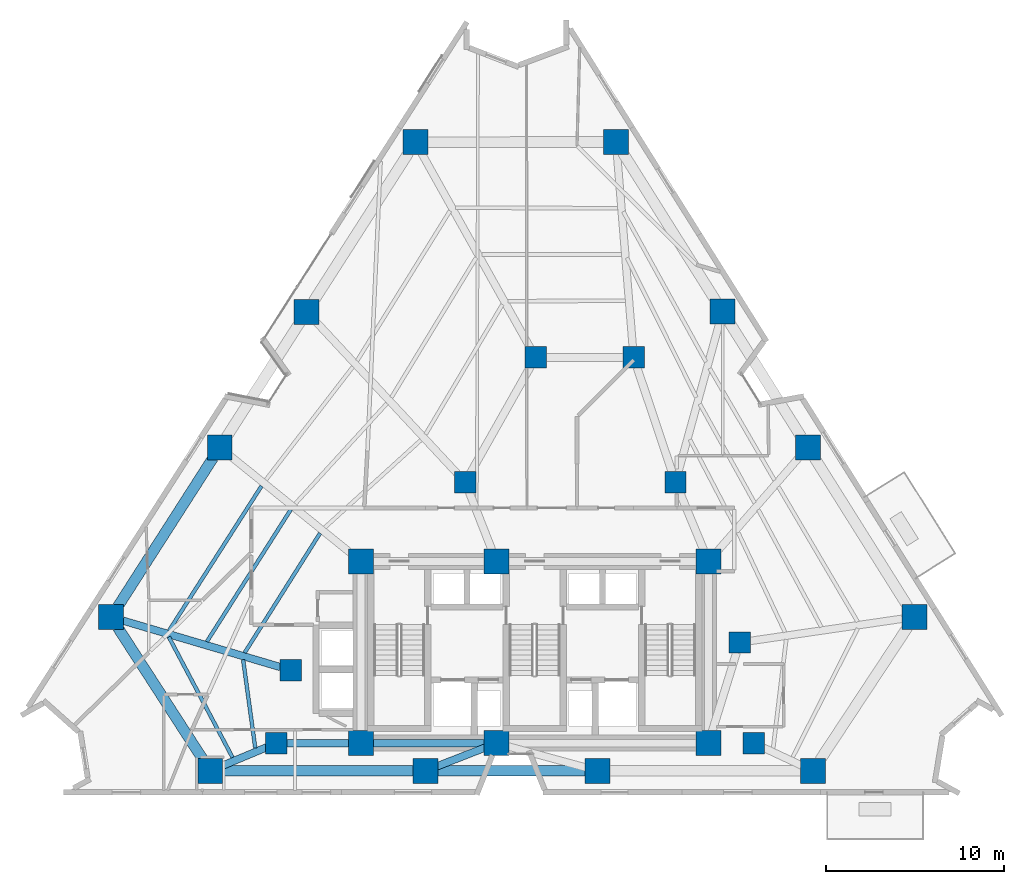
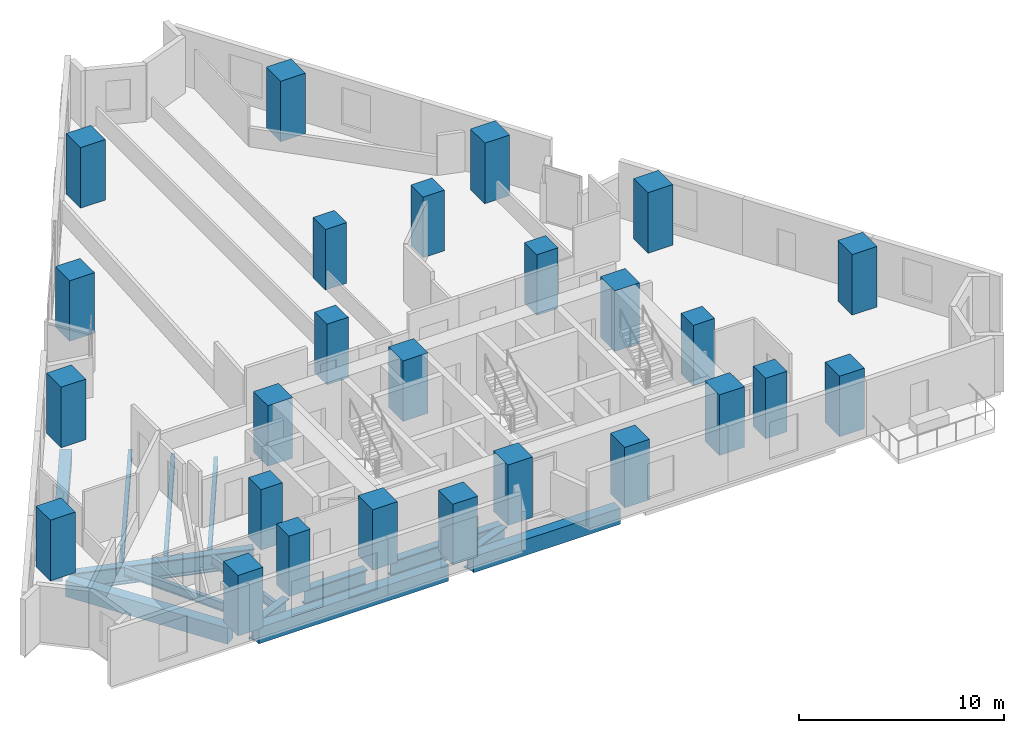
# One storey, part 1 of 12: 26 columns, 14 beams.
"""IFC4 building model written with IfcOpenShell, lengths in metres."""

from ifc_helpers import new_model, si_unit, direction, frame, origin, origin_2d, place, context, subcontext, project, spatial, rectangle, i_section, extrude, material, material_profile, profile_set, type_object, element, save


model = new_model("IFC4")

# Units and contexts
model_context = context("Model", 3, precision=1e-05, world=origin(), true_north=direction((0.0, 1.0)))
body_context = subcontext(model_context, "Body", "Model", "MODEL_VIEW")
ifc_project = project(units=[si_unit("LENGTHUNIT", "METRE"), si_unit("AREAUNIT", "SQUARE_METRE"), si_unit("VOLUMEUNIT", "CUBIC_METRE"), si_unit("PLANEANGLEUNIT", "RADIAN"), si_unit("MASSUNIT", "GRAM", prefix="KILO")], contexts=[model_context])

# Site, building, storey
site_placement = place(None, origin())
site = spatial("IfcSite", under=ifc_project, at=site_placement, CompositionType="ELEMENT")
building_placement = place(site_placement, origin())
building = spatial("IfcBuilding", under=site, at=building_placement, Name="Almagre Mirador Tower", CompositionType="ELEMENT")
storey_placement = place(building_placement, frame((0.0, 0.0, 71.39990234375)))
storey = spatial("IfcBuildingStorey", under=building, at=storey_placement, Name="L17", CompositionType="ELEMENT", Elevation=71.39990234375)

# Columns
ifc_material_1 = material(Name="Concrete C60/75", Category="concrete")
ifc_material_profile_1 = material_profile(ifc_material_1, rectangle(XDim=1.199951171875, YDim=1.199951171875, at=origin_2d()), Name="RC1200X1200")
ifc_profile_set_1 = profile_set([ifc_material_profile_1], Name="Concrete C60/75")
column_type_1 = type_object("IfcColumnType", Name="COL-RC1200", PredefinedType="COLUMN", material=ifc_profile_set_1)
for number, where, z_axis, x_axis, name in (
    (1, (22.800048828125, 4.550048828125, 0.0), (0.0, 0.0, 1.0), (1.0, 0.0, 0.0), "L17 interior transfer column MC1"),
    (2, (49.60009765625, 4.550048828125, 0.0), (0.0, 0.0, 1.0), (1.0, 0.0, 0.0), "L17 interior transfer column MC2"),
    (3, (48.800048828125, 10.199951171875, 0.0), (0.0, 0.0, 1.0), (1.0, 0.0, 0.0), "L17 interior transfer column MC3"),
    (4, (45.199951171875, 19.199951171875, 0.0), (0.0, 0.0, 1.0), (1.0, 0.0, 0.0), "L17 interior transfer column MC5"),
    (5, (42.85009765625, 26.199951171875, 0.0), (0.0, 0.0, 1.0), (1.0, 0.0, 0.0), "L17 interior transfer column MC6"),
    (6, (37.35009765625, 26.199951171875, 0.0), (0.0, 0.0, 1.0), (1.0, 0.0, 0.0), "L17 interior transfer column MC7"),
    (7, (33.39990234375, 19.199951171875, 0.0), (0.0, 0.0, 1.0), (1.0, 0.0, 0.0), "L17 interior transfer column MC8"),
    (8, (23.60009765625, 8.64990234375, 0.0), (0.0, 0.0, 1.0), (1.0, 0.0, 0.0), "L17 interior transfer column MC10"),
):
    element("IfcColumn", number, at=place(storey_placement, frame(where, z_axis=z_axis, x_axis=x_axis)), inside=storey, type_object=column_type_1, Name=name, PredefinedType="COLUMN", context=body_context, shape_type="SweptSolid", body=[
        extrude(rectangle(XDim=1.199951171875, YDim=1.199951171875, at=origin_2d()), origin(), (0.0, 0.0, 1.0), 3.60009765625),
    ])
ifc_material_2 = material(Name="Concrete C60/75", Category="concrete")
ifc_material_profile_2 = material_profile(ifc_material_2, rectangle(XDim=1.39990234375, YDim=1.39990234375, at=origin_2d()), Name="RC1400X1400")
ifc_profile_set_2 = profile_set([ifc_material_profile_2], Name="Concrete C60/75")
column_type_2 = type_object("IfcColumnType", Name="COL-RC1400", PredefinedType="COLUMN", material=ifc_profile_set_2)
for number, where, z_axis, x_axis, name in (
    (9, (27.550048828125, 4.550048828125, 0.0), (0.0, 0.0, 1.0), (1.0, 0.0, 0.0), "L17 core spine column CC1"),
    (10, (35.14990234375, 4.550048828125, 0.0), (0.0, 0.0, 1.0), (1.0, 0.0, 0.0), "L17 core spine column CC2"),
    (11, (47.050048828125, 4.550048828125, 0.0), (0.0, 0.0, 1.0), (1.0, 0.0, 0.0), "L17 core spine column CC3"),
    (12, (27.550048828125, 14.75, 0.0), (0.0, 0.0, 1.0), (1.0, 0.0, 0.0), "L17 core spine column CC4"),
    (13, (35.14990234375, 14.75, 0.0), (0.0, 0.0, 1.0), (1.0, 0.0, 0.0), "L17 core spine column CC5"),
    (14, (47.050048828125, 14.75, 0.0), (0.0, 0.0, 1.0), (1.0, 0.0, 0.0), "L17 core spine column CC6"),
    (15, (19.087890625, 3.0, 0.0), (0.0, 0.0, 1.0), (1.0, 0.0, 0.0), "L17 perimeter column PC01"),
    (16, (31.16796875, 3.0, 0.0), (0.0, 0.0, 1.0), (1.0, 0.0, 0.0), "L17 perimeter column PC02"),
    (17, (40.83203125, 3.0, 0.0), (0.0, 0.0, 1.0), (1.0, 0.0, 0.0), "L17 perimeter column PC03"),
    (18, (52.912109375, 3.0, 0.0), (0.0, 0.0, 1.0), (1.0, 0.0, 0.0), "L17 perimeter column PC04"),
    (19, (58.60595703125, 11.634033203125, 0.0), (0.0, 0.0, 1.0), (1.0, 0.0, 0.0), "L17 perimeter column PC05"),
    (20, (52.6259765625, 21.154052734375, 0.0), (0.0, 0.0, 1.0), (1.0, 0.0, 0.0), "L17 perimeter column PC06"),
    (21, (47.842041015625, 28.77001953125, 0.0), (0.0, 0.0, 1.0), (1.0, 0.0, 0.0), "L17 perimeter column PC07"),
    (22, (41.862060546875, 38.2900390625, 0.0), (0.0, 0.0, 1.0), (1.0, 0.0, 0.0), "L17 perimeter column PC08"),
    (23, (30.60009765625, 38.281005859375, 0.0), (0.0, 0.0, 1.0), (1.0, 0.0, 0.0), "L17 perimeter column PC09"),
    (24, (24.5, 28.760986328125, 0.0), (0.0, 0.0, 1.0), (1.0, 0.0, 0.0), "L17 perimeter column PC10"),
    (25, (19.6201171875, 21.14501953125, 0.0), (0.0, 0.0, 1.0), (1.0, 0.0, 0.0), "L17 perimeter column PC11"),
    (26, (13.52001953125, 11.625, 0.0), (0.0, 0.0, 1.0), (1.0, 0.0, 0.0), "L17 perimeter column PC12"),
):
    element("IfcColumn", number, at=place(storey_placement, frame(where, z_axis=z_axis, x_axis=x_axis)), inside=storey, type_object=column_type_2, Name=name, PredefinedType="COLUMN", context=body_context, shape_type="SweptSolid", body=[
        extrude(rectangle(XDim=1.39990234375, YDim=1.39990234375, at=origin_2d()), origin(), (0.0, 0.0, 1.0), 3.60009765625),
    ])

# Beams
ifc_material_3 = material(Name="Steel ASTM A992 Grade 50", Category="steel")
ifc_material_profile_3 = material_profile(ifc_material_3, i_section(OverallWidth=0.208984375, OverallDepth=0.532958984375, WebThickness=0.01025390625, FlangeThickness=0.015625, FilletRadius=0.01806640625, at=origin_2d()), Name="W21X62")
ifc_profile_set_3 = profile_set([ifc_material_profile_3], Name="Steel ASTM A992 Grade 50")
beam_type_1 = type_object("IfcBeamType", Name="BM-JST-W21X62", PredefinedType="JOIST", material=ifc_profile_set_3)
beam_1_placement = place(storey_placement, frame((21.96728515625, 18.984619140625, -0.516357421875), z_axis=(-0.538939298543, -0.842344604355, 0.0), x_axis=(0.842344604355, -0.538939298543, 0.0)))
element("IfcBeam", 27, at=beam_1_placement, inside=storey, type_object=beam_type_1, Name="L17 secondary floor joist PC11-PC12.1", PredefinedType="JOIST", context=body_context, shape_type="SweptSolid", body=[
    extrude(i_section(OverallWidth=0.208984375, OverallDepth=0.532958984375, WebThickness=0.01025390625, FlangeThickness=0.015625, FilletRadius=0.01806640625, at=origin_2d()), origin(), (0.0, 0.0, 1.0), 9.62939453125),
])
beam_2_placement = place(storey_placement, frame((23.609375, 17.660400390625, -0.516357421875), z_axis=(-0.536506743166, -0.843896033015, 0.0), x_axis=(0.843896033015, -0.536506743166, 0.0)))
element("IfcBeam", 28, at=beam_2_placement, inside=storey, type_object=beam_type_1, Name="L17 secondary floor joist PC11-PC12.2", PredefinedType="JOIST", context=body_context, shape_type="SweptSolid", body=[
    extrude(i_section(OverallWidth=0.208984375, OverallDepth=0.532958984375, WebThickness=0.01025390625, FlangeThickness=0.015625, FilletRadius=0.01806640625, at=origin_2d()), origin(), (0.0, 0.0, 1.0), 8.783447265625),
])
beam_3_placement = place(storey_placement, frame((25.251708984375, 16.336181640625, -0.516357421875), z_axis=(-0.533571707058, -0.845754830567, 0.0), x_axis=(0.845754830567, -0.533571707058, 0.0)))
element("IfcBeam", 29, at=beam_3_placement, inside=storey, type_object=beam_type_1, Name="L17 secondary floor joist PC11-PC12.3", PredefinedType="JOIST", context=body_context, shape_type="SweptSolid", body=[
    extrude(i_section(OverallWidth=0.208984375, OverallDepth=0.532958984375, WebThickness=0.01025390625, FlangeThickness=0.015625, FilletRadius=0.01806640625, at=origin_2d()), origin(), (0.0, 0.0, 1.0), 7.937744140625),
])
beam_4_placement = place(storey_placement, frame((16.7626953125, 10.51171875, -0.516357421875), z_axis=(0.467494738831, -0.88399585359, 0.0), x_axis=(0.88399585359, 0.467494738831, 0.0)))
element("IfcBeam", 30, at=beam_4_placement, inside=storey, type_object=beam_type_1, Name="L17 secondary floor joist PC12-PC01.1", PredefinedType="JOIST", context=body_context, shape_type="SweptSolid", body=[
    extrude(i_section(OverallWidth=0.208984375, OverallDepth=0.532958984375, WebThickness=0.01025390625, FlangeThickness=0.015625, FilletRadius=0.01806640625, at=origin_2d()), origin(), (0.0, 0.0, 1.0), 7.650634765625),
])
beam_5_placement = place(storey_placement, frame((20.93310546875, 9.238037109375, -0.516357421875), z_axis=(0.136056923339, -0.990701021303, 0.0), x_axis=(0.990701021303, 0.136056923339, 0.0)))
element("IfcBeam", 31, at=beam_5_placement, inside=storey, type_object=beam_type_1, Name="L17 secondary floor joist PC12-PC01.3", PredefinedType="JOIST", context=body_context, shape_type="SweptSolid", body=[
    extrude(i_section(OverallWidth=0.208984375, OverallDepth=0.532958984375, WebThickness=0.01025390625, FlangeThickness=0.015625, FilletRadius=0.01806640625, at=origin_2d()), origin(), (0.0, 0.0, 1.0), 5.010009765625),
])
ifc_material_4 = material(Name="Precast concrete C50/60", Category="concrete")
ifc_material_profile_4 = material_profile(ifc_material_4, rectangle(XDim=0.60009765625, YDim=0.949951171875, at=origin_2d()), Name="RC600X950")
ifc_profile_set_4 = profile_set([ifc_material_profile_4], Name="Precast concrete C50/60")
beam_type_2 = type_object("IfcBeamType", Name="BM-SPN-RC600X950", PredefinedType="SPANDREL", material=ifc_profile_set_4)
beam_6_placement = place(storey_placement, frame((19.7880859375, 3.0, -0.724853515625), z_axis=(1.0, 0.0, 0.0), x_axis=(0.0, 1.0, 0.0)))
element("IfcBeam", 32, at=beam_6_placement, inside=storey, type_object=beam_type_2, Name="L17 perimeter spandrel beam PC01-PC02", PredefinedType="SPANDREL", context=body_context, shape_type="SweptSolid", body=[
    extrude(rectangle(XDim=0.60009765625, YDim=0.949951171875, at=origin_2d()), origin(), (0.0, 0.0, 1.0), 10.679931640625),
])
beam_7_placement = place(storey_placement, frame((31.867919921875, 3.0, -0.724853515625), z_axis=(1.0, 0.0, 0.0), x_axis=(0.0, 1.0, 0.0)))
element("IfcBeam", 33, at=beam_7_placement, inside=storey, type_object=beam_type_2, Name="L17 perimeter spandrel beam PC02-PC03", PredefinedType="SPANDREL", context=body_context, shape_type="SweptSolid", body=[
    extrude(rectangle(XDim=0.60009765625, YDim=0.949951171875, at=origin_2d()), origin(), (0.0, 0.0, 1.0), 8.26416015625),
])
beam_8_placement = place(storey_placement, frame((19.2421875, 20.5556640625, -0.724853515625), z_axis=(-0.539486507438, -0.84199424481, 0.0), x_axis=(0.84199424481, -0.539486507438, 0.0)))
element("IfcBeam", 34, at=beam_8_placement, inside=storey, type_object=beam_type_2, Name="L17 perimeter spandrel beam PC11-PC12", PredefinedType="SPANDREL", context=body_context, shape_type="SweptSolid", body=[
    extrude(rectangle(XDim=0.60009765625, YDim=0.949951171875, at=origin_2d()), origin(), (0.0, 0.0, 1.0), 9.906494140625),
])
beam_9_placement = place(storey_placement, frame((13.899658203125, 11.036865234375, -0.724853515625), z_axis=(0.542362680712, -0.840144465298, 0.0), x_axis=(0.840144465298, 0.542362680712, 0.0)))
element("IfcBeam", 35, at=beam_9_placement, inside=storey, type_object=beam_type_2, Name="L17 perimeter spandrel beam PC12-PC01", PredefinedType="SPANDREL", context=body_context, shape_type="SweptSolid", body=[
    extrude(rectangle(XDim=0.60009765625, YDim=0.949951171875, at=origin_2d()), origin(), (0.0, 0.0, 1.0), 8.865966796875),
])
ifc_material_5 = material(Name="Steel ASTM A992 Grade 50", Category="steel")
ifc_material_profile_5 = material_profile(ifc_material_5, i_section(OverallWidth=0.43701171875, OverallDepth=1.010986328125, WebThickness=0.041015625, FlangeThickness=0.073974609375, FilletRadius=0.028076171875, at=origin_2d()), Name="W36X529")
ifc_profile_set_5 = profile_set([ifc_material_profile_5], Name="Steel ASTM A992 Grade 50")
beam_type_3 = type_object("IfcBeamType", Name="BM-STL-W36X529", PredefinedType="BEAM", material=ifc_profile_set_5)
beam_10_placement = place(storey_placement, frame((28.25, 4.550048828125, -0.75537109375), z_axis=(1.0, 0.0, 0.0), x_axis=(0.0, 1.0, 0.0)))
element("IfcBeam", 36, at=beam_10_placement, inside=storey, type_object=beam_type_3, Name="L17 core tie girder CC1-CC2", PredefinedType="BEAM", context=body_context, shape_type="SweptSolid", body=[
    extrude(i_section(OverallWidth=0.43701171875, OverallDepth=1.010986328125, WebThickness=0.041015625, FlangeThickness=0.073974609375, FilletRadius=0.028076171875, at=origin_2d()), origin(), (0.0, 0.0, 1.0), 6.199951171875),
])
beam_11_placement = place(storey_placement, frame((23.39990234375, 4.550048828125, -0.75537109375), z_axis=(1.0, 0.0, 0.0), x_axis=(0.0, 1.0, 0.0)))
element("IfcBeam", 37, at=beam_11_placement, inside=storey, type_object=beam_type_3, Name="L17 core tie girder MC1-CC1", PredefinedType="BEAM", context=body_context, shape_type="SweptSolid", body=[
    extrude(i_section(OverallWidth=0.43701171875, OverallDepth=1.010986328125, WebThickness=0.041015625, FlangeThickness=0.073974609375, FilletRadius=0.028076171875, at=origin_2d()), origin(), (0.0, 0.0, 1.0), 3.4501953125),
])
ifc_material_6 = material(Name="Steel ASTM A913 Grade 65", Category="steel")
ifc_material_profile_6 = material_profile(ifc_material_6, i_section(OverallWidth=0.4189453125, OverallDepth=1.041015625, WebThickness=0.031005859375, FlangeThickness=0.055908203125, FilletRadius=0.030029296875, at=origin_2d()), Name="W40X397")
ifc_profile_set_6 = profile_set([ifc_material_profile_6], Name="Steel ASTM A913 Grade 65")
beam_type_4 = type_object("IfcBeamType", Name="BM-STL-W40X397", PredefinedType="BEAM", material=ifc_profile_set_6)
beam_12_placement = place(storey_placement, frame((19.73388671875, 3.269775390625, -0.7705078125), z_axis=(0.922787491729, 0.385309285002, 0.0), x_axis=(-0.385309285002, 0.922787491729, 0.0)))
element("IfcBeam", 38, at=beam_12_placement, inside=storey, type_object=beam_type_4, Name="L17 radial floor girder PC01-MC1", PredefinedType="BEAM", context=body_context, shape_type="SweptSolid", body=[
    extrude(i_section(OverallWidth=0.4189453125, OverallDepth=1.041015625, WebThickness=0.031005859375, FlangeThickness=0.055908203125, FilletRadius=0.030029296875, at=origin_2d()), origin(), (0.0, 0.0, 1.0), 2.72265625),
])
beam_13_placement = place(storey_placement, frame((31.8203125, 3.25390625, -0.7705078125), z_axis=(0.931888214073, 0.362745580913, 0.0), x_axis=(-0.362745580913, 0.931888214073, 0.0)))
element("IfcBeam", 39, at=beam_13_placement, inside=storey, type_object=beam_type_4, Name="L17 radial floor girder PC02-CC2", PredefinedType="BEAM", context=body_context, shape_type="SweptSolid", body=[
    extrude(i_section(OverallWidth=0.4189453125, OverallDepth=1.041015625, WebThickness=0.031005859375, FlangeThickness=0.055908203125, FilletRadius=0.030029296875, at=origin_2d()), origin(), (0.0, 0.0, 1.0), 2.873291015625),
])
beam_14_placement = place(storey_placement, frame((14.19140625, 11.427001953125, -0.7705078125), z_axis=(0.95909363652, -0.28308902555, 0.0), x_axis=(0.28308902555, 0.95909363652, 0.0)))
element("IfcBeam", 40, at=beam_14_placement, inside=storey, type_object=beam_type_4, Name="L17 radial floor girder PC12-MC10", PredefinedType="BEAM", context=body_context, shape_type="SweptSolid", body=[
    extrude(i_section(OverallWidth=0.4189453125, OverallDepth=1.041015625, WebThickness=0.031005859375, FlangeThickness=0.055908203125, FilletRadius=0.030029296875, at=origin_2d()), origin(), (0.0, 0.0, 1.0), 9.209716796875),
])

save(model, "model.ifc")
